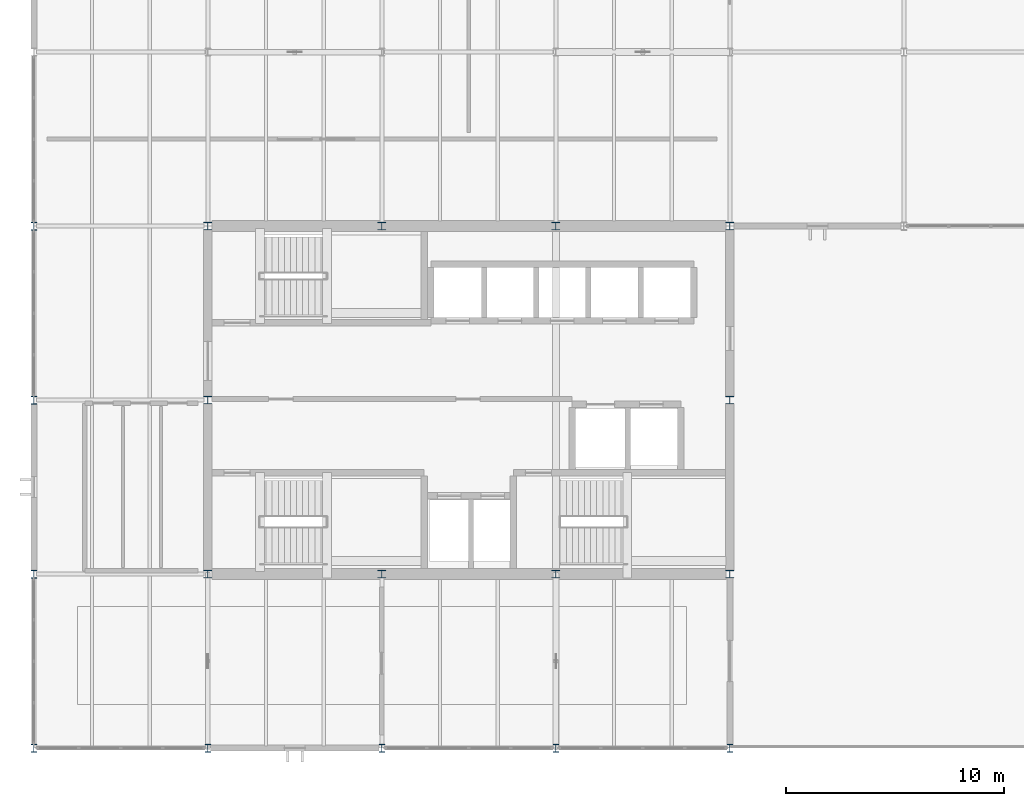
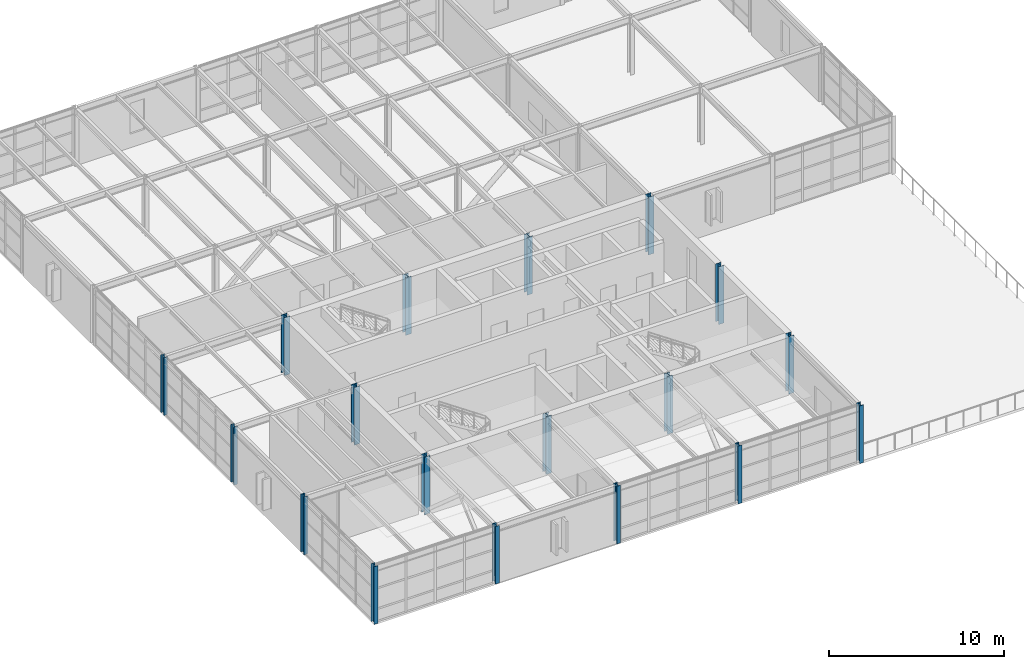
# One storey, part 1 of 21: 18 columns.
"""IFC4 building model written with IfcOpenShell, lengths in metres."""

from ifc_helpers import new_model, si_unit, direction, frame, origin, origin_2d, place, context, subcontext, project, spatial, i_section, extrude, material, material_profile, profile_set, type_object, element, save


model = new_model("IFC4")

# Units and contexts
model_context = context("Model", 3, precision=1e-05, world=origin(), true_north=direction((0.0, 1.0)))
body_context = subcontext(model_context, "Body", "Model", "MODEL_VIEW")
ifc_project = project(units=[si_unit("LENGTHUNIT", "METRE"), si_unit("AREAUNIT", "SQUARE_METRE"), si_unit("VOLUMEUNIT", "CUBIC_METRE"), si_unit("PLANEANGLEUNIT", "RADIAN"), si_unit("MASSUNIT", "GRAM", prefix="KILO")], contexts=[model_context])

# Site, building, storey
site_placement = place(None, origin())
site = spatial("IfcSite", under=ifc_project, at=site_placement, CompositionType="ELEMENT")
building_placement = place(site_placement, origin())
building = spatial("IfcBuilding", under=site, at=building_placement, Name="Varnela Railside Interchange", CompositionType="ELEMENT")
storey_placement = place(building_placement, frame((0.0, 0.0, 23.800048828125)))
storey = spatial("IfcBuildingStorey", under=building, at=storey_placement, Name="L05", CompositionType="ELEMENT", Elevation=23.800048828125)

# Columns
ifc_material = material(Name="Steel AR 350 (350 MPa)", Category="steel")
ifc_material_profile_1 = material_profile(ifc_material, i_section(OverallWidth=0.3701171875, OverallDepth=0.360107421875, WebThickness=0.01220703125, FlangeThickness=0.019775390625, at=origin_2d()), Name="W360x147")
ifc_profile_set_1 = profile_set([ifc_material_profile_1], Name="Steel AR 350 (350 MPa)")
column_type_1 = type_object("IfcColumnType", Name="Superstructure Steel Col C-19", PredefinedType="COLUMN", material=ifc_profile_set_1)
for number, where, z_axis, x_axis, name in (
    (1, (12.0, 54.0, 0.0), (0.0, 0.0, 1.0), (1.0, 0.0, 0.0), "Column C-19 (L05) (CL-0982)"),
    (2, (12.0, 62.0, 0.0), (0.0, 0.0, 1.0), (1.0, 0.0, 0.0), "Column C-19 (L05) (CL-0983)"),
    (3, (12.0, 70.0, 0.0), (0.0, 0.0, 1.0), (1.0, 0.0, 0.0), "Column C-19 (L05) (CL-0984)"),
    (4, (20.0, 54.0, 0.0), (0.0, 0.0, 1.0), (1.0, 0.0, 0.0), "Column C-19 (L05) (CL-0989)"),
    (5, (20.0, 70.0, 0.0), (0.0, 0.0, 1.0), (1.0, 0.0, 0.0), "Column C-19 (L05) (CL-0990)"),
    (6, (28.0, 54.0, 0.0), (0.0, 0.0, 1.0), (1.0, 0.0, 0.0), "Column C-19 (L05) (CL-0995)"),
    (7, (28.0, 70.0, 0.0), (0.0, 0.0, 1.0), (1.0, 0.0, 0.0), "Column C-19 (L05) (CL-0996)"),
    (8, (36.0, 54.0, 0.0), (0.0, 0.0, 1.0), (1.0, 0.0, 0.0), "Column C-19 (L05) (CL-1001)"),
    (9, (36.0, 62.0, 0.0), (0.0, 0.0, 1.0), (1.0, 0.0, 0.0), "Column C-19 (L05) (CL-1002)"),
    (10, (36.0, 70.0, 0.0), (0.0, 0.0, 1.0), (1.0, 0.0, 0.0), "Column C-19 (L05) (CL-1003)"),
):
    element("IfcColumn", number, at=place(storey_placement, frame(where, z_axis=z_axis, x_axis=x_axis)), inside=storey, type_object=column_type_1, Name=name, PredefinedType="COLUMN", context=body_context, shape_type="SweptSolid", body=[
        extrude(i_section(OverallWidth=0.3701171875, OverallDepth=0.360107421875, WebThickness=0.01220703125, FlangeThickness=0.019775390625, at=origin_2d()), origin(), (0.0, 0.0, 1.0), 4.02001953125),
    ])
ifc_material_profile_2 = material_profile(ifc_material, i_section(OverallWidth=0.257080078125, OverallDepth=0.363037109375, WebThickness=0.012939453125, FlangeThickness=0.021728515625, at=origin_2d()), Name="W360x122")
ifc_profile_set_2 = profile_set([ifc_material_profile_2], Name="Steel AR 350 (350 MPa)")
column_type_2 = type_object("IfcColumnType", Name="Superstructure Steel Col C-20", PredefinedType="COLUMN", material=ifc_profile_set_2)
for number, where, z_axis, x_axis, name in (
    (11, (4.0, 46.0, 0.0), (0.0, 0.0, 1.0), (1.0, 0.0, 0.0), "Column C-20 (L05) (CL-0974)"),
    (12, (4.0, 54.0, 0.0), (0.0, 0.0, 1.0), (1.0, 0.0, 0.0), "Column C-20 (L05) (CL-0975)"),
    (13, (4.0, 62.0, 0.0), (0.0, 0.0, 1.0), (1.0, 0.0, 0.0), "Column C-20 (L05) (CL-0976)"),
    (14, (4.0, 70.0, 0.0), (0.0, 0.0, 1.0), (1.0, 0.0, 0.0), "Column C-20 (L05) (CL-0977)"),
    (15, (12.0, 46.0, 0.0), (0.0, 0.0, 1.0), (1.0, 0.0, 0.0), "Column C-20 (L05) (CL-0981)"),
    (16, (20.0, 46.0, 0.0), (0.0, 0.0, 1.0), (1.0, 0.0, 0.0), "Column C-20 (L05) (CL-0988)"),
    (17, (28.0, 46.0, 0.0), (0.0, 0.0, 1.0), (1.0, 0.0, 0.0), "Column C-20 (L05) (CL-0994)"),
    (18, (36.0, 46.0, 0.0), (0.0, 0.0, 1.0), (1.0, 0.0, 0.0), "Column C-20 (L05) (CL-1000)"),
):
    element("IfcColumn", number, at=place(storey_placement, frame(where, z_axis=z_axis, x_axis=x_axis)), inside=storey, type_object=column_type_2, Name=name, PredefinedType="COLUMN", context=body_context, shape_type="SweptSolid", body=[
        extrude(i_section(OverallWidth=0.257080078125, OverallDepth=0.363037109375, WebThickness=0.012939453125, FlangeThickness=0.021728515625, at=origin_2d()), origin(), (0.0, 0.0, 1.0), 4.02001953125),
    ])

save(model, "model.ifc")
